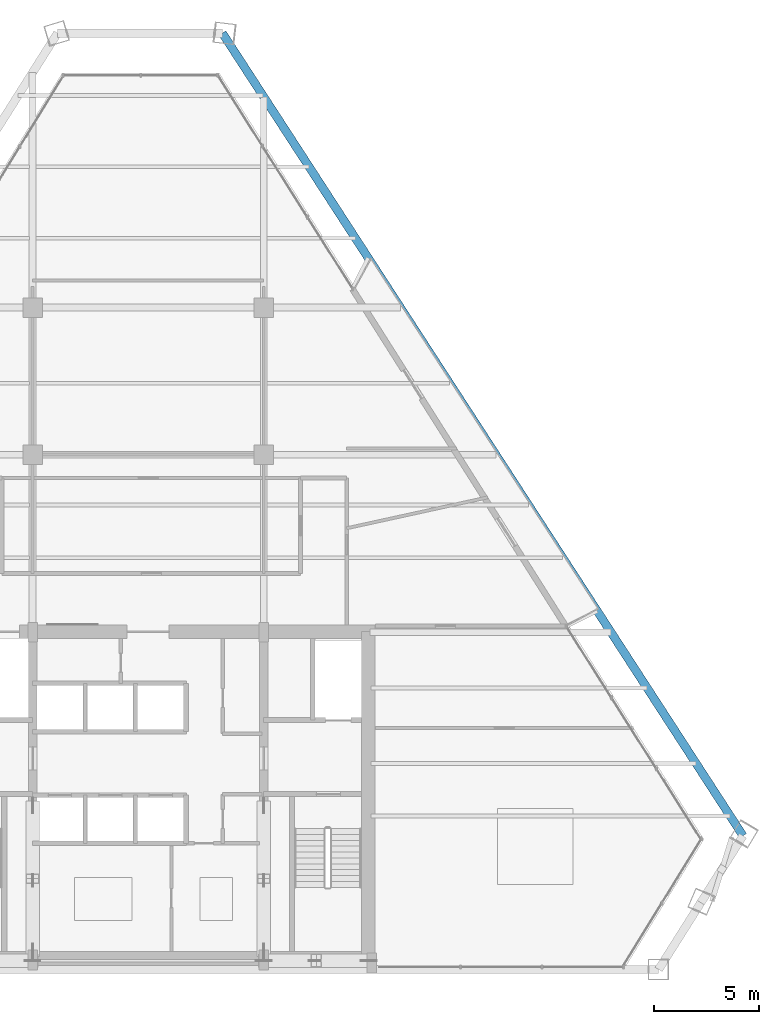
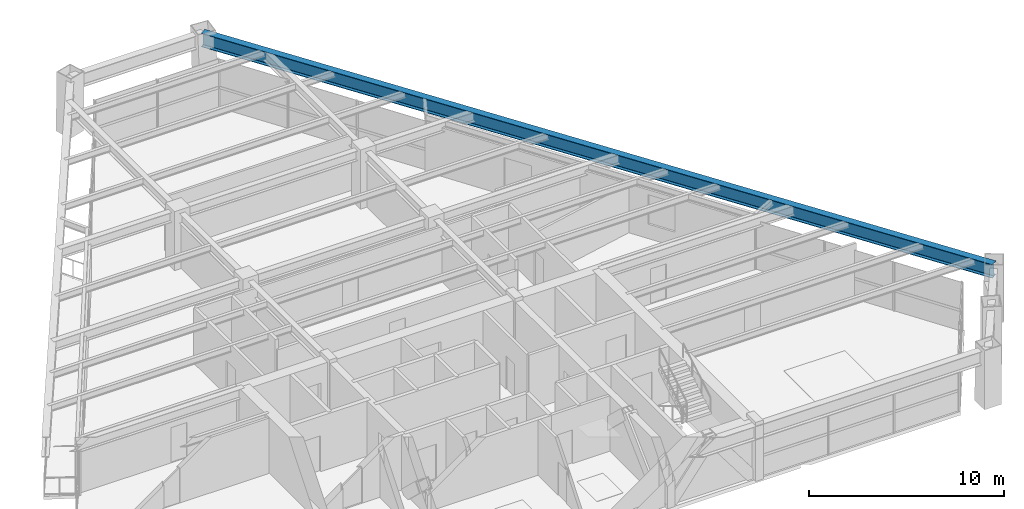
# One storey, part 7 of 15: 1 beam.
"""IFC4 building model written with IfcOpenShell, lengths in metres."""

from ifc_helpers import new_model, si_unit, direction, frame, origin, origin_2d, place, context, subcontext, project, spatial, i_section, extrude, source, transform, mapped, material, material_profile, profile_set, type_object, element, save


model = new_model("IFC4")

# Units and contexts
model_context = context("Model", 3, precision=1e-05, world=origin(), true_north=direction((0.0, 1.0)))
body_context = subcontext(model_context, "Body", "Model", "MODEL_VIEW")
ifc_project = project(units=[si_unit("LENGTHUNIT", "METRE"), si_unit("AREAUNIT", "SQUARE_METRE"), si_unit("VOLUMEUNIT", "CUBIC_METRE"), si_unit("PLANEANGLEUNIT", "RADIAN"), si_unit("MASSUNIT", "GRAM", prefix="KILO")], contexts=[model_context])

# Site, building, storey
site_placement = place(None, origin())
site = spatial("IfcSite", under=ifc_project, at=site_placement, CompositionType="ELEMENT")
building_placement = place(site_placement, origin())
building = spatial("IfcBuilding", under=site, at=building_placement, Name="Varnakhor Terracotta Tower", CompositionType="ELEMENT")
storey_placement = place(building_placement, frame((0.0, 0.0, 193.199951171875)))
storey = spatial("IfcBuildingStorey", under=building, at=storey_placement, Name="L49", CompositionType="ELEMENT", Elevation=193.199951171875)

# Beam
ifc_material = material(Name="Steel S355", Category="steel")
ifc_material_profile = material_profile(ifc_material, i_section(OverallWidth=0.39990234375, OverallDepth=0.85498046875, WebThickness=0.01806640625, FlangeThickness=0.029052734375, FilletRadius=0.01806640625, at=origin_2d()), Name="W33X201")
ifc_profile_set = profile_set([ifc_material_profile], Name="Steel S355")
beam_type = type_object("IfcBeamType", Name="BM-W33X201", PredefinedType="BEAM", material=ifc_profile_set)
shared_shape = source(origin(), body_context, "Body", "SweptSolid", [
    extrude(i_section(OverallWidth=0.39990234375, OverallDepth=0.85498046875, WebThickness=0.01806640625, FlangeThickness=0.029052734375, FilletRadius=0.01806640625, at=origin_2d()), origin(), (0.0, 0.0, 1.0), 45.534423828125),
])
beam_placement = place(storey_placement, frame((28.30908203125, 6.363037109375, 3.04248046875), z_axis=(-0.544159996084, 0.838981465029, 0.0), x_axis=(-0.838981465029, -0.544159996084, 0.0)))
element("IfcBeam", 1, at=beam_placement, inside=storey, type_object=beam_type, Name="L49 Perimeter Spandrel 4", PredefinedType="BEAM", context=body_context, shape_type="MappedRepresentation", body=[
    mapped(shared_shape, transform((0.0, 0.0, 0.0), scale=1.0)),
])

save(model, "model.ifc")
